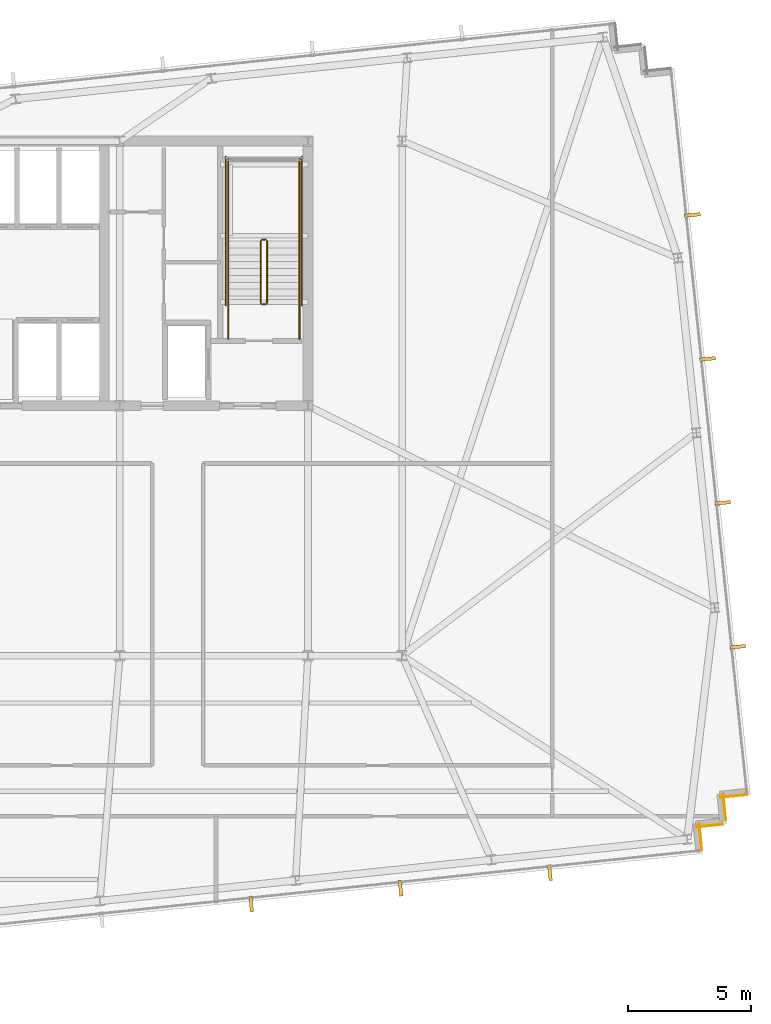
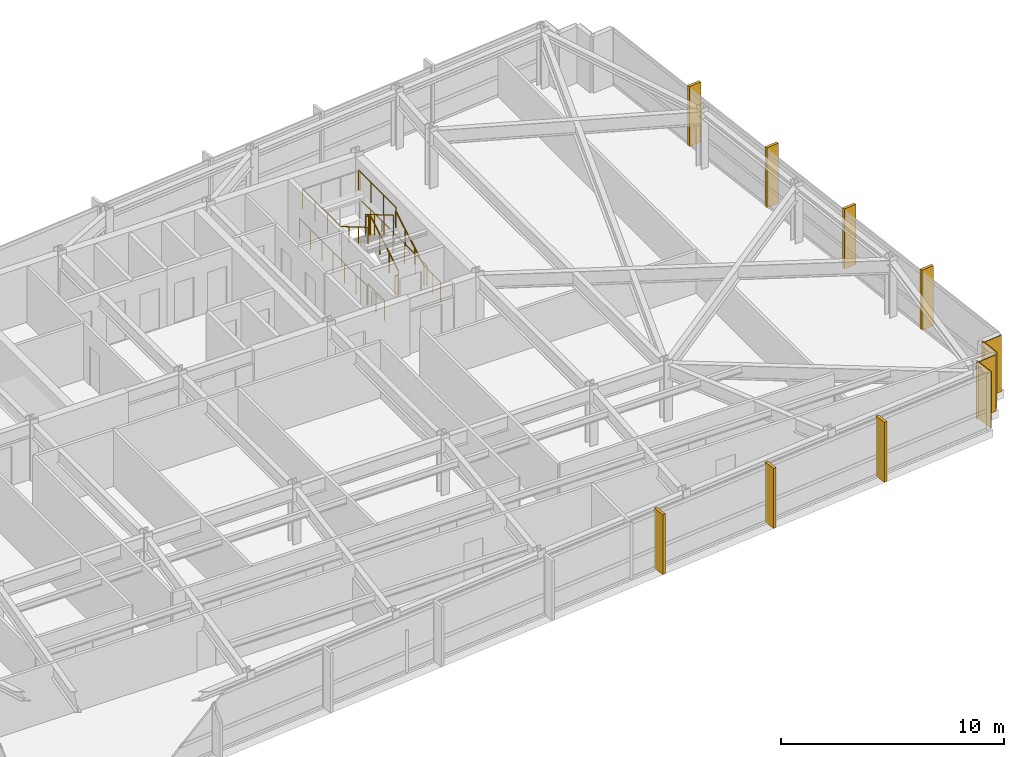
# One storey, part 25 of 26: 12 railings, 7 shading devices, 4 coverings.
"""IFC4 building model written with IfcOpenShell, lengths in metres."""

from ifc_helpers import new_model, si_unit, direction, frame, frame_2d, origin, origin_2d, place, context, subcontext, project, spatial, rectangle, circle, extrude, material, layer, layer_set, type_object, element, save


model = new_model("IFC4")

# Units and contexts
model_context = context("Model", 3, precision=1e-05, world=origin(), true_north=direction((0.0, 1.0)))
body_context = subcontext(model_context, "Body", "Model", "MODEL_VIEW")
ifc_project = project(units=[si_unit("LENGTHUNIT", "METRE"), si_unit("AREAUNIT", "SQUARE_METRE"), si_unit("VOLUMEUNIT", "CUBIC_METRE"), si_unit("PLANEANGLEUNIT", "RADIAN"), si_unit("MASSUNIT", "GRAM", prefix="KILO")], contexts=[model_context])

# Site, building, storey
site_placement = place(None, origin())
site = spatial("IfcSite", under=ifc_project, at=site_placement, CompositionType="ELEMENT")
building_placement = place(site_placement, origin())
building = spatial("IfcBuilding", under=site, at=building_placement, Name="Yelkora Congress Tower", CompositionType="ELEMENT")
storey_placement = place(building_placement, frame((0.0, 0.0, 204.5)))
storey = spatial("IfcBuildingStorey", under=building, at=storey_placement, Name="L56", CompositionType="ELEMENT", Elevation=204.5)

# Coverings
ifc_material_1 = material(Name="Anatolian bush-hammered limestone", Category="masonry")
ifc_layer_1 = layer(ifc_material_1, 0.0400390625)
ifc_layer_set_1 = layer_set([ifc_layer_1], Name="Anatolian bush-hammered limestone")
covering_type = type_object("IfcCoveringType", Name="COV-CLAD-SPANDREL-40", PredefinedType="CLADDING", material=ifc_layer_set_1)
for number, where, z_axis, x_axis, name in (
    (1, (71.668212890625, 19.535888671875, 0.0), (0.0, 0.0, 1.0), (-0.994544300928, -0.104315068386, 0.0), "L56 Anatolian Limestone Cladding EW-L56-SR16"),
    (2, (70.6943359375, 19.569580078125, 0.0), (0.0, 0.0, 1.0), (0.104534592565, -0.994521251134, 0.0), "L56 Anatolian Limestone Cladding EW-L56-SR17"),
    (3, (70.689208984375, 18.3271484375, 0.0), (0.0, 0.0, 1.0), (-0.994521251134, -0.104534592565, 0.0), "L56 Anatolian Limestone Cladding EW-L56-SR18"),
    (4, (69.71533203125, 18.360595703125, 0.0), (0.0, 0.0, 1.0), (0.104534592565, -0.994521251134, 0.0), "L56 Anatolian Limestone Cladding EW-L56-SR19"),
):
    element("IfcCovering", number, at=place(storey_placement, frame(where, z_axis=z_axis, x_axis=x_axis)), inside=storey, type_object=covering_type, Name=name, PredefinedType="CLADDING", context=body_context, shape_type="SweptSolid", body=[
        extrude(rectangle(XDim=1.10009765625, YDim=0.0400390625, at=frame_2d((0.550048828125, 0.0))), origin(), (0.0, 0.0, 1.0), 3.080078125),
    ])

# Railings
ifc_material_2 = material(Name="Painted galvanised steel stair well guard with vertical infill", Category="steel")
ifc_layer_2 = layer(ifc_material_2, 0.06005859375)
ifc_layer_set_2 = layer_set([ifc_layer_2], Name="Painted galvanised steel stair well guard with vertical infill")
railing_type_1 = type_object("IfcRailingType", Name="RAIL-STAIR-GUARD-1120", PredefinedType="GUARDRAIL", material=ifc_layer_set_2)
railing_1_placement = place(storey_placement, frame((52.090087890625, 39.60009765625, 0.1650390625)))
element("IfcRailing", 5, at=railing_1_placement, inside=storey, type_object=railing_type_1, Name="ST-02 L56 Stair Well Guardrail 1", PredefinedType="GUARDRAIL", context=body_context, shape_type="SweptSolid", body=[
    extrude(circle(Radius=0.02392578125, at=origin_2d()), frame((0.0, 0.0, 1.09619140625), z_axis=(0.0, 0.861560626758, 0.507654692109), x_axis=(-1.0, 0.0, 0.0)), (0.0, 0.0, 1.0), 2.925048828125),
    extrude(circle(Radius=0.02099609375, at=origin_2d()), origin(), (0.0, 0.0, 1.0), 1.072021484375),
    extrude(circle(Radius=0.02099609375, at=origin_2d()), frame((0.0, 0.840087890625, 0.494873046875)), (0.0, 0.0, 1.0), 1.072021484375),
    extrude(circle(Radius=0.02099609375, at=origin_2d()), frame((0.0, 1.679931640625, 0.989990234375)), (0.0, 0.0, 1.0), 1.072021484375),
    extrude(circle(Radius=0.02099609375, at=origin_2d()), frame((0.0, 2.52001953125, 1.48486328125)), (0.0, 0.0, 1.0), 1.072021484375),
])
railing_2_placement = place(storey_placement, frame((52.0400390625, 42.169921875, 1.64990234375)))
element("IfcRailing", 6, at=railing_2_placement, inside=storey, type_object=railing_type_1, Name="ST-02 L56 Stair Well Guardrail 2", PredefinedType="GUARDRAIL", context=body_context, shape_type="SweptSolid", body=[
    extrude(circle(Radius=0.02392578125, at=origin_2d()), frame((0.0, 0.0, 1.09619140625), z_axis=(-1.0, 0.0, 0.0), x_axis=(0.0, -1.0, 0.0)), (0.0, 0.0, 1.0), 0.16015625),
    extrude(circle(Radius=0.02099609375, at=origin_2d()), origin(), (0.0, 0.0, 1.0), 1.072021484375),
    extrude(circle(Radius=0.02099609375, at=origin_2d()), frame((-0.16015625, 0.0, 0.0)), (0.0, 0.0, 1.0), 1.072021484375),
])
for number, where, name in (
    (7, (53.409912109375, 42.1201171875, 1.64990234375), "ST-02 L56 Stair Well Guardrail 3"),
    (8, (50.510009765625, 42.1201171875, 1.64990234375), "ST-02 L56 Stair Well Guardrail 4"),
):
    element("IfcRailing", number, at=place(storey_placement, frame(where)), inside=storey, type_object=railing_type_1, Name=name, PredefinedType="GUARDRAIL", context=body_context, shape_type="SweptSolid", body=[
        extrude(circle(Radius=0.02392578125, at=origin_2d()), frame((0.0, 0.0, 1.09619140625), z_axis=(0.0, 1.0, 0.0), x_axis=(-1.0, 0.0, 0.0)), (0.0, 0.0, 1.0), 3.349853515625),
        extrude(circle(Radius=0.02099609375, at=origin_2d()), origin(), (0.0, 0.0, 1.0), 1.072021484375),
        extrude(circle(Radius=0.02099609375, at=origin_2d()), frame((0.0, 1.11669921875, 0.0)), (0.0, 0.0, 1.0), 1.072021484375),
        extrude(circle(Radius=0.02099609375, at=origin_2d()), frame((0.0, 2.233154296875, 0.0)), (0.0, 0.0, 1.0), 1.072021484375),
        extrude(circle(Radius=0.02099609375, at=origin_2d()), frame((0.0, 3.349853515625, 0.0)), (0.0, 0.0, 1.0), 1.072021484375),
    ])
railing_3_placement = place(storey_placement, frame((51.830078125, 42.1201171875, 1.81494140625)))
element("IfcRailing", 9, at=railing_3_placement, inside=storey, type_object=railing_type_1, Name="ST-02 L56 Stair Well Guardrail 6", PredefinedType="GUARDRAIL", context=body_context, shape_type="SweptSolid", body=[
    extrude(circle(Radius=0.02392578125, at=origin_2d()), frame((0.0, 0.0, 1.09619140625), z_axis=(0.0, -0.86152411907, 0.507716645641), x_axis=(1.0, 0.0, 0.0)), (0.0, 0.0, 1.0), 2.925048828125),
    extrude(circle(Radius=0.02099609375, at=origin_2d()), origin(), (0.0, 0.0, 1.0), 1.072021484375),
    extrude(circle(Radius=0.02099609375, at=origin_2d()), frame((0.0, -0.840087890625, 0.4951171875)), (0.0, 0.0, 1.0), 1.072021484375),
    extrude(circle(Radius=0.02099609375, at=origin_2d()), frame((0.0, -1.679931640625, 0.989990234375)), (0.0, 0.0, 1.0), 1.072021484375),
    extrude(circle(Radius=0.02099609375, at=origin_2d()), frame((0.0, -2.52001953125, 1.485107421875)), (0.0, 0.0, 1.0), 1.072021484375),
])
railing_4_placement = place(storey_placement, frame((52.0400390625, 39.550048828125, 0.0)))
element("IfcRailing", 10, at=railing_4_placement, inside=storey, type_object=railing_type_1, Name="ST-02 L56 Stair Well Guardrail 7", PredefinedType="GUARDRAIL", context=body_context, shape_type="SweptSolid", body=[
    extrude(circle(Radius=0.02392578125, at=origin_2d()), frame((0.0, 0.0, 1.09619140625), z_axis=(-1.0, 0.0, 0.0), x_axis=(0.0, -1.0, 0.0)), (0.0, 0.0, 1.0), 0.16015625),
    extrude(circle(Radius=0.02099609375, at=origin_2d()), origin(), (0.0, 0.0, 1.0), 1.072021484375),
    extrude(circle(Radius=0.02099609375, at=origin_2d()), frame((-0.16015625, 0.0, 0.0)), (0.0, 0.0, 1.0), 1.072021484375),
])
for number, where, name in (
    (11, (53.409912109375, 38.1201171875, 0.0), "ST-02 L56 Stair Well Guardrail 8"),
    (12, (50.510009765625, 38.1201171875, 0.0), "ST-02 L56 Stair Well Guardrail 9"),
):
    element("IfcRailing", number, at=place(storey_placement, frame(where)), inside=storey, type_object=railing_type_1, Name=name, PredefinedType="GUARDRAIL", context=body_context, shape_type="SweptSolid", body=[
        extrude(circle(Radius=0.02392578125, at=origin_2d()), frame((0.0, 0.0, 1.09619140625), z_axis=(0.0, 1.0, 0.0), x_axis=(-1.0, 0.0, 0.0)), (0.0, 0.0, 1.0), 1.47998046875),
        extrude(circle(Radius=0.02099609375, at=origin_2d()), origin(), (0.0, 0.0, 1.0), 1.072021484375),
        extrude(circle(Radius=0.02099609375, at=origin_2d()), frame((0.0, 0.739990234375, 0.0)), (0.0, 0.0, 1.0), 1.072021484375),
        extrude(circle(Radius=0.02099609375, at=origin_2d()), frame((0.0, 1.47998046875, 0.0)), (0.0, 0.0, 1.0), 1.072021484375),
    ])
for number, where, name in (
    (13, (53.510009765625, 39.5, 0.0), "ST-02 L56 Stair Well Guardrail 10"),
    (14, (50.409912109375, 39.5, 0.0), "ST-02 L56 Stair Well Guardrail 11"),
):
    element("IfcRailing", number, at=place(storey_placement, frame(where)), inside=storey, type_object=railing_type_1, Name=name, PredefinedType="GUARDRAIL", context=body_context, shape_type="SweptSolid", body=[
        extrude(circle(Radius=0.02392578125, at=origin_2d()), frame((0.0, 0.0, 1.09619140625), z_axis=(0.0, 1.0, 0.0), x_axis=(-1.0, 0.0, 0.0)), (0.0, 0.0, 1.0), 6.070068359375),
        extrude(circle(Radius=0.02099609375, at=origin_2d()), origin(), (0.0, 0.0, 1.0), 1.072021484375),
        extrude(circle(Radius=0.02099609375, at=origin_2d()), frame((0.0, 1.01171875, 0.0)), (0.0, 0.0, 1.0), 1.072021484375),
        extrude(circle(Radius=0.02099609375, at=origin_2d()), frame((0.0, 2.0234375, 0.0)), (0.0, 0.0, 1.0), 1.072021484375),
        extrude(circle(Radius=0.02099609375, at=origin_2d()), frame((0.0, 3.03515625, 0.0)), (0.0, 0.0, 1.0), 1.072021484375),
        extrude(circle(Radius=0.02099609375, at=origin_2d()), frame((0.0, 4.046630859375, 0.0)), (0.0, 0.0, 1.0), 1.072021484375),
        extrude(circle(Radius=0.02099609375, at=origin_2d()), frame((0.0, 5.058349609375, 0.0)), (0.0, 0.0, 1.0), 1.072021484375),
        extrude(circle(Radius=0.02099609375, at=origin_2d()), frame((0.0, 6.070068359375, 0.0)), (0.0, 0.0, 1.0), 1.072021484375),
    ])
ifc_material_3 = material(Name="Brushed stainless steel tubular handrail", Category="steel")
ifc_layer_3 = layer(ifc_material_3, 0.050048828125)
ifc_layer_set_3 = layer_set([ifc_layer_3], Name="Brushed stainless steel tubular handrail")
railing_type_2 = type_object("IfcRailingType", Name="RAIL-STAIR-HAND-920", PredefinedType="HANDRAIL", material=ifc_layer_set_3)
railing_5_placement = place(storey_placement, frame((53.409912109375, 39.60009765625, 0.1650390625)))
element("IfcRailing", 15, at=railing_5_placement, inside=storey, type_object=railing_type_2, Name="ST-02 L56 Pitch Handrail 1", PredefinedType="HANDRAIL", context=body_context, shape_type="SweptSolid", body=[
    extrude(circle(Radius=0.02392578125, at=origin_2d()), frame((0.0, 0.0, 0.89599609375), z_axis=(0.0, 0.861560626758, 0.507654692109), x_axis=(-1.0, 0.0, 0.0)), (0.0, 0.0, 1.0), 2.925048828125),
    extrude(circle(Radius=0.02099609375, at=origin_2d()), origin(), (0.0, 0.0, 1.0), 0.871826171875),
    extrude(circle(Radius=0.02099609375, at=origin_2d()), frame((0.0, 0.840087890625, 0.494873046875)), (0.0, 0.0, 1.0), 0.871826171875),
    extrude(circle(Radius=0.02099609375, at=origin_2d()), frame((0.0, 1.679931640625, 0.989990234375)), (0.0, 0.0, 1.0), 0.871826171875),
    extrude(circle(Radius=0.02099609375, at=origin_2d()), frame((0.0, 2.52001953125, 1.48486328125)), (0.0, 0.0, 1.0), 0.871826171875),
])
railing_6_placement = place(storey_placement, frame((50.510009765625, 42.1201171875, 1.81494140625)))
element("IfcRailing", 16, at=railing_6_placement, inside=storey, type_object=railing_type_2, Name="ST-02 L56 Pitch Handrail 2", PredefinedType="HANDRAIL", context=body_context, shape_type="SweptSolid", body=[
    extrude(circle(Radius=0.02392578125, at=origin_2d()), frame((0.0, 0.0, 0.89599609375), z_axis=(0.0, -0.86152411907, 0.507716645641), x_axis=(1.0, 0.0, 0.0)), (0.0, 0.0, 1.0), 2.925048828125),
    extrude(circle(Radius=0.02099609375, at=origin_2d()), origin(), (0.0, 0.0, 1.0), 0.871826171875),
    extrude(circle(Radius=0.02099609375, at=origin_2d()), frame((0.0, -0.840087890625, 0.4951171875)), (0.0, 0.0, 1.0), 0.871826171875),
    extrude(circle(Radius=0.02099609375, at=origin_2d()), frame((0.0, -1.679931640625, 0.989990234375)), (0.0, 0.0, 1.0), 0.871826171875),
    extrude(circle(Radius=0.02099609375, at=origin_2d()), frame((0.0, -2.52001953125, 1.485107421875)), (0.0, 0.0, 1.0), 0.871826171875),
])

# Shading devices
ifc_material_4 = material(Name="Champagne anodised aluminium", Category="aluminium")
ifc_layer_4 = layer(ifc_material_4, 3.39990234375)
ifc_layer_set_4 = layer_set([ifc_layer_4], Name="Champagne anodised aluminium")
shading_device_type = type_object("IfcShadingDeviceType", Name="SHD-FIN-ALU-640", PredefinedType="USERDEFINED", material=ifc_layer_set_4)
for number, where, z_axis, x_axis, name in (
    (17, (69.444091796875, 43.18408203125, -0.02978515625), (0.0, 0.0, 1.0), (0.104528463268, -0.994521895368, 0.0), "L56 Vertical Anodised Solar Fin 15-1"),
    (18, (70.061279296875, 37.3125, -0.02978515625), (0.0, 0.0, 1.0), (0.104528463268, -0.994521895368, 0.0), "L56 Vertical Anodised Solar Fin 15-2"),
    (19, (70.678466796875, 31.44091796875, -0.02978515625), (0.0, 0.0, 1.0), (0.104528463268, -0.994521895368, 0.0), "L56 Vertical Anodised Solar Fin 15-3"),
    (20, (71.29541015625, 25.569091796875, -0.02978515625), (0.0, 0.0, 1.0), (0.104528463268, -0.994521895368, 0.0), "L56 Vertical Anodised Solar Fin 15-4"),
    (21, (63.62939453125, 16.353271484375, -0.02978515625), (0.0, 0.0, 1.0), (-0.994521895368, -0.104528463268, 0.0), "L56 Vertical Anodised Solar Fin 20-1"),
    (22, (57.535400390625, 15.712890625, -0.02978515625), (0.0, 0.0, 1.0), (-0.994521895368, -0.104528463268, 0.0), "L56 Vertical Anodised Solar Fin 20-2"),
    (23, (51.44140625, 15.072265625, -0.02978515625), (0.0, 0.0, 1.0), (-0.994521895368, -0.104528463268, 0.0), "L56 Vertical Anodised Solar Fin 20-3"),
):
    element("IfcShadingDevice", number, at=place(storey_placement, frame(where, z_axis=z_axis, x_axis=x_axis)), inside=storey, type_object=shading_device_type, Name=name, ObjectType="FIN", PredefinedType="USERDEFINED", context=body_context, shape_type="SweptSolid", body=[
        extrude(rectangle(XDim=0.139892578125, YDim=0.639892578125, at=origin_2d()), origin(), (0.0, 0.0, 1.0), 3.280029296875),
    ])

save(model, "model.ifc")
